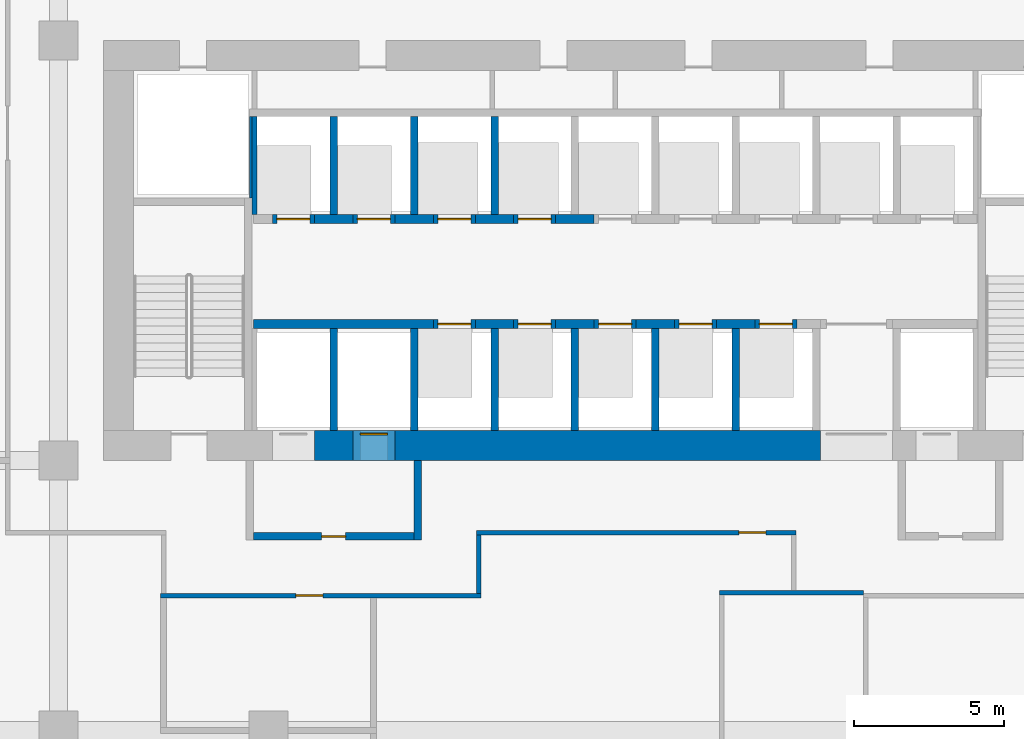
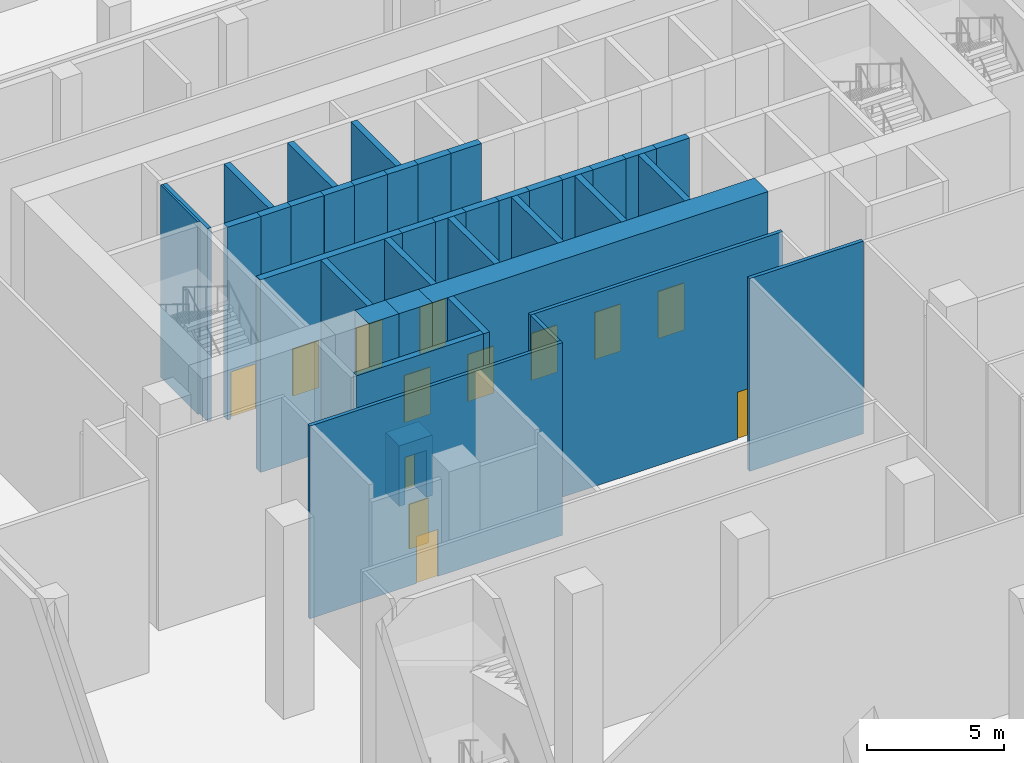
# One storey, part 24 of 43: 39 walls, 13 doors, 13 openings.
"""IFC4 building model written with IfcOpenShell, lengths in metres."""

from ifc_helpers import new_model, si_unit, direction, frame, frame_2d, origin, place, context, subcontext, project, spatial, rectangle, extrude, source, transform, mapped, material, layer, layer_set, type_object, element, fill, save


model = new_model("IFC4")

# Units and contexts
model_context = context("Model", 3, precision=1e-05, world=origin(), true_north=direction((0.0, 1.0)))
body_context = subcontext(model_context, "Body", "Model", "MODEL_VIEW")
ifc_project = project(units=[si_unit("LENGTHUNIT", "METRE"), si_unit("AREAUNIT", "SQUARE_METRE"), si_unit("VOLUMEUNIT", "CUBIC_METRE"), si_unit("PLANEANGLEUNIT", "RADIAN"), si_unit("MASSUNIT", "GRAM", prefix="KILO")], contexts=[model_context])

# Site, building, storey
site_placement = place(None, origin())
site = spatial("IfcSite", under=ifc_project, at=site_placement, CompositionType="ELEMENT")
building_placement = place(site_placement, origin())
building = spatial("IfcBuilding", under=site, at=building_placement, Name="Kilnfold Tower and Market Hall", CompositionType="ELEMENT")
storey_placement = place(building_placement, origin())
storey = spatial("IfcBuildingStorey", under=building, at=storey_placement, Name="L00", CompositionType="ELEMENT", Elevation=0.0)

# Wall
ifc_material_1 = material(Name="Gypsum board on steel studs", Category="steel")
ifc_layer_1 = layer(ifc_material_1, 0.14990234375)
ifc_layer_set_1 = layer_set([ifc_layer_1], Name="Gypsum board on steel studs")
wall_type_1 = type_object("IfcWallType", Name="WALL CORRIDOR 150", PredefinedType="PARTITIONING", material=ifc_layer_set_1)
wall_1_placement = place(storey_placement, frame((4.52490234375, 3.60009765625, 0.0), z_axis=(0.0, 0.0, 1.0), x_axis=(1.0, 0.0, 0.0)))
element("IfcWall", 1, at=wall_1_placement, inside=storey, type_object=wall_type_1, Name="Partition LY01.14", PredefinedType="PARTITIONING", context=body_context, shape_type="SweptSolid", body=[
    extrude(rectangle(XDim=4.800048828125, YDim=0.14990234375, at=frame_2d((2.39990234375, 0.0))), origin(), (0.0, 0.0, 1.0), 8.60009765625),
])

# Wall, opening, door
wall_2_placement = place(storey_placement, frame((-14.10009765625, 3.5, 0.0), z_axis=(0.0, 0.0, 1.0), x_axis=(1.0, 0.0, 0.0)))
wall_2 = element("IfcWall", 2, at=wall_2_placement, inside=storey, type_object=wall_type_1, Name="Partition LY01.28", PredefinedType="PARTITIONING", context=body_context, shape_type="SweptSolid", body=[
    extrude(rectangle(XDim=10.675048828125, YDim=0.14990234375, at=frame_2d((5.33740234375, 0.0))), origin(), (0.0, 0.0, 1.0), 8.60009765625),
])
opening_1_placement = place(wall_2_placement, frame((4.507080078125, 0.0, 0.0)))
opening_1 = element("IfcOpeningElement", 3, at=opening_1_placement, cuts=wall_2, Name="Opening D2", PredefinedType="OPENING", context=body_context, shape_type="SweptSolid", body=[
    extrude(rectangle(XDim=0.89990234375, YDim=2.10009765625, at=frame_2d((0.449951171875, 1.050048828125))), frame((0.0, 0.0849609375, 0.0), z_axis=(0.0, -1.0, 0.0), x_axis=(1.0, 0.0, 0.0)), (0.0, 0.0, 1.0), 0.169921875),
])
ifc_material_2 = material(Name="Timber veneer door leaf in steel frame", Category="steel")
door_type_1 = type_object("IfcDoorType", Name="DOOR ROOM 900 X2100", OperationType="NOTDEFINED", PredefinedType="DOOR", material=ifc_material_2)
door_1_placement = place(opening_1_placement, origin())
door_1 = element("IfcDoor", 4, at=door_1_placement, inside=storey, type_object=door_type_1, Name="Door D2", OperationType="SINGLE_SWING_RIGHT", OverallHeight=2.10009765625, OverallWidth=0.89990234375, PredefinedType="DOOR", context=body_context, shape_type="SweptSolid", body=[
    extrude(rectangle(XDim=0.89990234375, YDim=2.10009765625, at=frame_2d((0.449951171875, 1.050048828125))), frame((0.0, 0.02490234375, 0.0), z_axis=(0.0, -1.0, 0.0), x_axis=(1.0, 0.0, 0.0)), (0.0, 0.0, 1.0), 0.050048828125),
])
fill(opening_1, door_1)

wall_3_placement = place(storey_placement, frame((-3.574951171875, 5.60009765625, 0.0), z_axis=(0.0, 0.0, 1.0), x_axis=(1.0, 0.0, 0.0)))
wall_3 = element("IfcWall", 5, at=wall_3_placement, inside=storey, type_object=wall_type_1, Name="Partition LY01.30", PredefinedType="PARTITIONING", context=body_context, shape_type="SweptSolid", body=[
    extrude(rectangle(XDim=10.64990234375, YDim=0.14990234375, at=frame_2d((5.324951171875, 0.0))), origin(), (0.0, 0.0, 1.0), 8.60009765625),
])
opening_2_placement = place(wall_3_placement, frame((8.74609375, 0.0, 0.0)))
opening_2 = element("IfcOpeningElement", 6, at=opening_2_placement, cuts=wall_3, Name="Opening D2", PredefinedType="OPENING", context=body_context, shape_type="SweptSolid", body=[
    extrude(rectangle(XDim=0.89990234375, YDim=2.10009765625, at=frame_2d((0.449951171875, 1.050048828125))), frame((0.0, 0.0849609375, 0.0), z_axis=(0.0, -1.0, 0.0), x_axis=(1.0, 0.0, 0.0)), (0.0, 0.0, 1.0), 0.169921875),
])
door_2_placement = place(opening_2_placement, origin())
door_2 = element("IfcDoor", 7, at=door_2_placement, inside=storey, type_object=door_type_1, Name="Door D2", OperationType="SINGLE_SWING_RIGHT", OverallHeight=2.10009765625, OverallWidth=0.89990234375, PredefinedType="DOOR", context=body_context, shape_type="SweptSolid", body=[
    extrude(rectangle(XDim=0.89990234375, YDim=2.10009765625, at=frame_2d((0.449951171875, 1.050048828125))), frame((0.0, 0.02490234375, 0.0), z_axis=(0.0, -1.0, 0.0), x_axis=(1.0, 0.0, 0.0)), (0.0, 0.0, 1.0), 0.050048828125),
])
fill(opening_2, door_2)

# Walls
wall_4_placement = place(storey_placement, frame((-3.5, 3.574951171875, 0.0), z_axis=(0.0, 0.0, 1.0), x_axis=(0.0, 1.0, 0.0)))
element("IfcWall", 8, at=wall_4_placement, inside=storey, type_object=wall_type_1, Name="Partition LY01.31", PredefinedType="PARTITIONING", context=body_context, shape_type="SweptSolid", body=[
    extrude(rectangle(XDim=1.949951171875, YDim=0.14990234375, at=frame_2d((0.97509765625, 0.0))), origin(), (0.0, 0.0, 1.0), 8.60009765625),
])
ifc_material_3 = material(Name="Concrete C80", Category="concrete")
ifc_layer_2 = layer(ifc_material_3, 1.0)
ifc_layer_set_2 = layer_set([ifc_layer_2], Name="Concrete C80")
wall_type_2 = type_object("IfcWallType", Name="CORE WALL 1000 C80", PredefinedType="SHEAR", material=ifc_layer_set_2)
shared_shape_1 = source(origin(), body_context, "Body", "SweptSolid", [
    extrude(rectangle(XDim=1.280029296875, YDim=1.0, at=frame_2d((0.64013671875, 0.0))), origin(), (0.0, 0.0, 1.0), 8.60009765625),
])
wall_5_placement = place(storey_placement, frame((-8.969970703125, 8.5, 0.0), z_axis=(0.0, 0.0, 1.0), x_axis=(1.0, 0.0, 0.0)))
element("IfcWall", 9, at=wall_5_placement, inside=storey, type_object=wall_type_2, Name="Core outer wall south", PredefinedType="SHEAR", context=body_context, shape_type="MappedRepresentation", body=[
    mapped(shared_shape_1, transform((0.0, 0.0, 0.0))),
])
shared_shape_2 = source(origin(), body_context, "Body", "SweptSolid", [
    extrude(rectangle(XDim=14.179931640625, YDim=1.0, at=frame_2d((7.08984375, 0.0))), origin(), (0.0, 0.0, 1.0), 8.60009765625),
])
wall_6_placement = place(storey_placement, frame((-6.2900390625, 8.5, 0.0), z_axis=(0.0, 0.0, 1.0), x_axis=(1.0, 0.0, 0.0)))
element("IfcWall", 10, at=wall_6_placement, inside=storey, type_object=wall_type_2, Name="Core outer wall south", PredefinedType="SHEAR", context=body_context, shape_type="MappedRepresentation", body=[
    mapped(shared_shape_2, transform((0.0, 0.0, 0.0))),
])
ifc_material_4 = material(Name="Concrete C80", Category="concrete")
ifc_layer_3 = layer(ifc_material_4, 0.300048828125)
ifc_layer_set_3 = layer_set([ifc_layer_3], Name="Concrete C80")
wall_type_3 = type_object("IfcWallType", Name="CORE WALL 300 C80", PredefinedType="SHEAR", material=ifc_layer_set_3)
shared_shape_3 = source(origin(), body_context, "Body", "SweptSolid", [
    extrude(rectangle(XDim=6.0, YDim=0.300048828125, at=frame_2d((3.0, 0.0))), origin(), (0.0, 0.0, 1.0), 8.60009765625),
])
wall_7_placement = place(storey_placement, frame((-11.010009765625, 12.550048828125, 0.0), z_axis=(0.0, 0.0, 1.0), x_axis=(1.0, 0.0, 0.0)))
element("IfcWall", 11, at=wall_7_placement, inside=storey, type_object=wall_type_3, Name="Core spine wall", PredefinedType="SHEAR", context=body_context, shape_type="MappedRepresentation", body=[
    mapped(shared_shape_3, transform((0.0, 0.0, 0.0))),
])
shared_shape_4 = source(origin(), body_context, "Body", "SweptSolid", [
    extrude(rectangle(XDim=1.280029296875, YDim=0.300048828125, at=frame_2d((0.64013671875, 0.0))), origin(), (0.0, 0.0, 1.0), 8.60009765625),
])
for number, where, z_axis, x_axis, name in (
    (12, (-3.610107421875, 12.550048828125, 0.0), (0.0, 0.0, 1.0), (1.0, 0.0, 0.0), "Core spine wall"),
    (13, (-0.929931640625, 12.550048828125, 0.0), (0.0, 0.0, 1.0), (1.0, 0.0, 0.0), "Core spine wall"),
    (14, (1.75, 12.550048828125, 0.0), (0.0, 0.0, 1.0), (1.0, 0.0, 0.0), "Core spine wall"),
    (15, (4.429931640625, 12.550048828125, 0.0), (0.0, 0.0, 1.0), (1.0, 0.0, 0.0), "Core spine wall"),
    (16, (-8.969970703125, 16.050048828125, 0.0), (0.0, 0.0, 1.0), (1.0, 0.0, 0.0), "Core spine wall"),
    (17, (-6.2900390625, 16.050048828125, 0.0), (0.0, 0.0, 1.0), (1.0, 0.0, 0.0), "Core spine wall"),
    (18, (-3.610107421875, 16.050048828125, 0.0), (0.0, 0.0, 1.0), (1.0, 0.0, 0.0), "Core spine wall"),
    (19, (-0.929931640625, 16.050048828125, 0.0), (0.0, 0.0, 1.0), (1.0, 0.0, 0.0), "Core spine wall"),
):
    element("IfcWall", number, at=place(storey_placement, frame(where, z_axis=z_axis, x_axis=x_axis)), inside=storey, type_object=wall_type_3, Name=name, PredefinedType="SHEAR", context=body_context, shape_type="MappedRepresentation", body=[
        mapped(shared_shape_4, transform((0.0, 0.0, 0.0))),
    ])
shared_shape_5 = source(origin(), body_context, "Body", "SweptSolid", [
    extrude(rectangle(XDim=1.39990234375, YDim=1.0, at=frame_2d((0.699951171875, 0.0))), origin(), (0.0, 0.0, 1.0), 4.650146484375),
])
wall_8_placement = place(storey_placement, frame((-7.68994140625, 8.5, 3.949951171875), z_axis=(0.0, 0.0, 1.0), x_axis=(1.0, 0.0, 0.0)))
element("IfcWall", 20, at=wall_8_placement, inside=storey, type_object=wall_type_2, Name="Core wall over opening", PredefinedType="SHEAR", context=body_context, shape_type="MappedRepresentation", body=[
    mapped(shared_shape_5, transform((0.0, 0.0, 0.0))),
])

# Wall, opening, door
ifc_material_5 = material(Name="Gypsum shaft wall system")
ifc_layer_4 = layer(ifc_material_5, 1.0)
ifc_layer_set_4 = layer_set([ifc_layer_4], Name="Gypsum shaft wall system")
wall_type_4 = type_object("IfcWallType", Name="LOBBY WALL 1000", PredefinedType="PARTITIONING", material=ifc_layer_set_4)
shared_shape_6 = source(origin(), body_context, "Body", "SweptSolid", [
    extrude(rectangle(XDim=1.39990234375, YDim=1.0, at=frame_2d((0.699951171875, 0.0))), origin(), (0.0, 0.0, 1.0), 2.699951171875),
])
wall_9_placement = place(storey_placement, frame((-7.68994140625, 8.5, 0.0), z_axis=(0.0, 0.0, 1.0), x_axis=(1.0, 0.0, 0.0)))
wall_9 = element("IfcWall", 21, at=wall_9_placement, inside=storey, type_object=wall_type_4, Name="Core wall infill", PredefinedType="PARTITIONING", context=body_context, shape_type="MappedRepresentation", body=[
    mapped(shared_shape_6, transform((0.0, 0.0, 0.0))),
])
opening_3_placement = place(wall_9_placement, frame((0.25, 0.0, 0.0)))
opening_3 = element("IfcOpeningElement", 22, at=opening_3_placement, cuts=wall_9, Name="Opening LD1", PredefinedType="OPENING", context=body_context, shape_type="SweptSolid", body=[
    extrude(rectangle(XDim=0.89990234375, YDim=2.10009765625, at=frame_2d((0.449951171875, 1.050048828125))), frame((0.0, 0.510009765625, 0.0), z_axis=(0.0, -1.0, 0.0), x_axis=(1.0, 0.0, 0.0)), (0.0, 0.0, 1.0), 1.02001953125),
])
ifc_material_6 = material(Name="Steel door set with fire-resisting leaf", Category="steel")
door_type_2 = type_object("IfcDoorType", Name="FIREFIGHTING LANDING DOOR 900X2100", OperationType="NOTDEFINED", PredefinedType="DOOR", material=ifc_material_6)
door_3_placement = place(opening_3_placement, origin())
door_3 = element("IfcDoor", 23, at=door_3_placement, inside=storey, type_object=door_type_2, Name="Landing door FF2", OperationType="SLIDING_TO_RIGHT", OverallHeight=2.10009765625, OverallWidth=0.89990234375, PredefinedType="DOOR", context=body_context, shape_type="SweptSolid", body=[
    extrude(rectangle(XDim=0.89990234375, YDim=2.10009765625, at=frame_2d((0.449951171875, 1.050048828125))), frame((0.0, 0.40478515625, 0.0), z_axis=(0.0, -1.0, 0.0), x_axis=(1.0, 0.0, 0.0)), (0.0, 0.0, 1.0), 0.050048828125),
])
fill(opening_3, door_3)

ifc_material_7 = material(Name="Gypsum shaft wall system")
ifc_layer_5 = layer(ifc_material_7, 0.300048828125)
ifc_layer_set_5 = layer_set([ifc_layer_5], Name="Gypsum shaft wall system")
wall_type_5 = type_object("IfcWallType", Name="SHAFT WALL 300", PredefinedType="PARTITIONING", material=ifc_layer_set_5)
shared_shape_7 = source(origin(), body_context, "Body", "SweptSolid", [
    extrude(rectangle(XDim=1.39990234375, YDim=0.300048828125, at=frame_2d((0.699951171875, 0.0))), origin(), (0.0, 0.0, 1.0), 8.60009765625),
])
wall_10_placement = place(storey_placement, frame((-5.010009765625, 12.550048828125, 0.0), z_axis=(0.0, 0.0, 1.0), x_axis=(1.0, 0.0, 0.0)))
wall_10 = element("IfcWall", 24, at=wall_10_placement, inside=storey, type_object=wall_type_5, Name="Lift shaft front wall", PredefinedType="PARTITIONING", context=body_context, shape_type="MappedRepresentation", body=[
    mapped(shared_shape_7, transform((0.0, 0.0, 0.0))),
])
opening_4_placement = place(wall_10_placement, frame((0.14990234375, 0.0, 0.0)))
opening_4 = element("IfcOpeningElement", 25, at=opening_4_placement, cuts=wall_10, Name="Opening LD2", PredefinedType="OPENING", context=body_context, shape_type="SweptSolid", body=[
    extrude(rectangle(XDim=1.10009765625, YDim=2.10009765625, at=frame_2d((0.550048828125, 1.050048828125))), frame((0.0, 0.16015625, 0.0), z_axis=(0.0, -1.0, 0.0), x_axis=(1.0, 0.0, 0.0)), (0.0, 0.0, 1.0), 0.320068359375),
])
ifc_material_8 = material(Name="Steel door set with fire-resisting leaf", Category="steel")
door_type_3 = type_object("IfcDoorType", Name="LANDING DOOR 1100X2100", OperationType="NOTDEFINED", PredefinedType="DOOR", material=ifc_material_8)
door_4_placement = place(opening_4_placement, origin())
door_4 = element("IfcDoor", 26, at=door_4_placement, inside=storey, type_object=door_type_3, Name="Landing door LR1", OperationType="DOUBLE_DOOR_SLIDING", OverallHeight=2.10009765625, OverallWidth=1.10009765625, PredefinedType="DOOR", context=body_context, shape_type="SweptSolid", body=[
    extrude(rectangle(XDim=1.10009765625, YDim=2.10009765625, at=frame_2d((0.550048828125, 1.050048828125))), frame((0.0, 0.02490234375, 0.0), z_axis=(0.0, -1.0, 0.0), x_axis=(1.0, 0.0, 0.0)), (0.0, 0.0, 1.0), 0.050048828125),
])
fill(opening_4, door_4)

wall_11_placement = place(storey_placement, frame((0.35009765625, 12.550048828125, 0.0), z_axis=(0.0, 0.0, 1.0), x_axis=(1.0, 0.0, 0.0)))
wall_11 = element("IfcWall", 27, at=wall_11_placement, inside=storey, type_object=wall_type_5, Name="Lift shaft front wall", PredefinedType="PARTITIONING", context=body_context, shape_type="MappedRepresentation", body=[
    mapped(shared_shape_7, transform((0.0, 0.0, 0.0))),
])
opening_5_placement = place(wall_11_placement, frame((0.14990234375, 0.0, 0.0)))
opening_5 = element("IfcOpeningElement", 28, at=opening_5_placement, cuts=wall_11, Name="Opening LD2", PredefinedType="OPENING", context=body_context, shape_type="SweptSolid", body=[
    extrude(rectangle(XDim=1.10009765625, YDim=2.10009765625, at=frame_2d((0.550048828125, 1.050048828125))), frame((0.0, 0.16015625, 0.0), z_axis=(0.0, -1.0, 0.0), x_axis=(1.0, 0.0, 0.0)), (0.0, 0.0, 1.0), 0.320068359375),
])
door_5_placement = place(opening_5_placement, origin())
door_5 = element("IfcDoor", 29, at=door_5_placement, inside=storey, type_object=door_type_3, Name="Landing door LR3", OperationType="DOUBLE_DOOR_SLIDING", OverallHeight=2.10009765625, OverallWidth=1.10009765625, PredefinedType="DOOR", context=body_context, shape_type="SweptSolid", body=[
    extrude(rectangle(XDim=1.10009765625, YDim=2.10009765625, at=frame_2d((0.550048828125, 1.050048828125))), frame((0.0, 0.02490234375, 0.0), z_axis=(0.0, -1.0, 0.0), x_axis=(1.0, 0.0, 0.0)), (0.0, 0.0, 1.0), 0.050048828125),
])
fill(opening_5, door_5)

wall_12_placement = place(storey_placement, frame((3.030029296875, 12.550048828125, 0.0), z_axis=(0.0, 0.0, 1.0), x_axis=(1.0, 0.0, 0.0)))
wall_12 = element("IfcWall", 30, at=wall_12_placement, inside=storey, type_object=wall_type_5, Name="Lift shaft front wall", PredefinedType="PARTITIONING", context=body_context, shape_type="MappedRepresentation", body=[
    mapped(shared_shape_7, transform((0.0, 0.0, 0.0))),
])
opening_6_placement = place(wall_12_placement, frame((0.14990234375, 0.0, 0.0)))
opening_6 = element("IfcOpeningElement", 31, at=opening_6_placement, cuts=wall_12, Name="Opening LD2", PredefinedType="OPENING", context=body_context, shape_type="SweptSolid", body=[
    extrude(rectangle(XDim=1.10009765625, YDim=2.10009765625, at=frame_2d((0.550048828125, 1.050048828125))), frame((0.0, 0.16015625, 0.0), z_axis=(0.0, -1.0, 0.0), x_axis=(1.0, 0.0, 0.0)), (0.0, 0.0, 1.0), 0.320068359375),
])
door_6_placement = place(opening_6_placement, origin())
door_6 = element("IfcDoor", 32, at=door_6_placement, inside=storey, type_object=door_type_3, Name="Landing door LR4", OperationType="DOUBLE_DOOR_SLIDING", OverallHeight=2.10009765625, OverallWidth=1.10009765625, PredefinedType="DOOR", context=body_context, shape_type="SweptSolid", body=[
    extrude(rectangle(XDim=1.10009765625, YDim=2.10009765625, at=frame_2d((0.550048828125, 1.050048828125))), frame((0.0, 0.02490234375, 0.0), z_axis=(0.0, -1.0, 0.0), x_axis=(1.0, 0.0, 0.0)), (0.0, 0.0, 1.0), 0.050048828125),
])
fill(opening_6, door_6)

wall_13_placement = place(storey_placement, frame((-7.68994140625, 16.050048828125, 0.0), z_axis=(0.0, 0.0, 1.0), x_axis=(1.0, 0.0, 0.0)))
wall_13 = element("IfcWall", 33, at=wall_13_placement, inside=storey, type_object=wall_type_5, Name="Lift shaft front wall", PredefinedType="PARTITIONING", context=body_context, shape_type="MappedRepresentation", body=[
    mapped(shared_shape_7, transform((0.0, 0.0, 0.0))),
])
opening_7_placement = place(wall_13_placement, frame((0.14990234375, 0.0, 0.0)))
opening_7 = element("IfcOpeningElement", 34, at=opening_7_placement, cuts=wall_13, Name="Opening LD2", PredefinedType="OPENING", context=body_context, shape_type="SweptSolid", body=[
    extrude(rectangle(XDim=1.10009765625, YDim=2.10009765625, at=frame_2d((0.550048828125, 1.050048828125))), frame((0.0, 0.16015625, 0.0), z_axis=(0.0, -1.0, 0.0), x_axis=(1.0, 0.0, 0.0)), (0.0, 0.0, 1.0), 0.320068359375),
])
door_7_placement = place(opening_7_placement, origin())
door_7 = element("IfcDoor", 35, at=door_7_placement, inside=storey, type_object=door_type_3, Name="Landing door LR8", OperationType="DOUBLE_DOOR_SLIDING", OverallHeight=2.10009765625, OverallWidth=1.10009765625, PredefinedType="DOOR", context=body_context, shape_type="SweptSolid", body=[
    extrude(rectangle(XDim=1.10009765625, YDim=2.10009765625, at=frame_2d((0.550048828125, 1.050048828125))), frame((0.0, 0.02490234375, 0.0), z_axis=(0.0, -1.0, 0.0), x_axis=(1.0, 0.0, 0.0)), (0.0, 0.0, 1.0), 0.050048828125),
])
fill(opening_7, door_7)

wall_14_placement = place(storey_placement, frame((-5.010009765625, 16.050048828125, 0.0), z_axis=(0.0, 0.0, 1.0), x_axis=(1.0, 0.0, 0.0)))
wall_14 = element("IfcWall", 36, at=wall_14_placement, inside=storey, type_object=wall_type_5, Name="Lift shaft front wall", PredefinedType="PARTITIONING", context=body_context, shape_type="MappedRepresentation", body=[
    mapped(shared_shape_7, transform((0.0, 0.0, 0.0))),
])
opening_8_placement = place(wall_14_placement, frame((0.14990234375, 0.0, 0.0)))
opening_8 = element("IfcOpeningElement", 37, at=opening_8_placement, cuts=wall_14, Name="Opening LD2", PredefinedType="OPENING", context=body_context, shape_type="SweptSolid", body=[
    extrude(rectangle(XDim=1.10009765625, YDim=2.10009765625, at=frame_2d((0.550048828125, 1.050048828125))), frame((0.0, 0.16015625, 0.0), z_axis=(0.0, -1.0, 0.0), x_axis=(1.0, 0.0, 0.0)), (0.0, 0.0, 1.0), 0.320068359375),
])
door_8_placement = place(opening_8_placement, origin())
door_8 = element("IfcDoor", 38, at=door_8_placement, inside=storey, type_object=door_type_3, Name="Landing door SH1", OperationType="DOUBLE_DOOR_SLIDING", OverallHeight=2.10009765625, OverallWidth=1.10009765625, PredefinedType="DOOR", context=body_context, shape_type="SweptSolid", body=[
    extrude(rectangle(XDim=1.10009765625, YDim=2.10009765625, at=frame_2d((0.550048828125, 1.050048828125))), frame((0.0, 0.02490234375, 0.0), z_axis=(0.0, -1.0, 0.0), x_axis=(1.0, 0.0, 0.0)), (0.0, 0.0, 1.0), 0.050048828125),
])
fill(opening_8, door_8)

shared_shape_8 = source(origin(), body_context, "Body", "SweptSolid", [
    extrude(rectangle(XDim=1.400146484375, YDim=0.300048828125, at=frame_2d((0.7001953125, 0.0))), origin(), (0.0, 0.0, 1.0), 8.60009765625),
])
wall_15_placement = place(storey_placement, frame((-2.330078125, 12.550048828125, 0.0), z_axis=(0.0, 0.0, 1.0), x_axis=(1.0, 0.0, 0.0)))
wall_15 = element("IfcWall", 39, at=wall_15_placement, inside=storey, type_object=wall_type_5, Name="Lift shaft front wall", PredefinedType="PARTITIONING", context=body_context, shape_type="MappedRepresentation", body=[
    mapped(shared_shape_8, transform((0.0, 0.0, 0.0))),
])
opening_9_placement = place(wall_15_placement, frame((0.14990234375, 0.0, 0.0)))
opening_9 = element("IfcOpeningElement", 40, at=opening_9_placement, cuts=wall_15, Name="Opening LD2", PredefinedType="OPENING", context=body_context, shape_type="SweptSolid", body=[
    extrude(rectangle(XDim=1.10009765625, YDim=2.10009765625, at=frame_2d((0.550048828125, 1.050048828125))), frame((0.0, 0.16015625, 0.0), z_axis=(0.0, -1.0, 0.0), x_axis=(1.0, 0.0, 0.0)), (0.0, 0.0, 1.0), 0.320068359375),
])
door_9_placement = place(opening_9_placement, origin())
door_9 = element("IfcDoor", 41, at=door_9_placement, inside=storey, type_object=door_type_3, Name="Landing door LR2", OperationType="DOUBLE_DOOR_SLIDING", OverallHeight=2.10009765625, OverallWidth=1.10009765625, PredefinedType="DOOR", context=body_context, shape_type="SweptSolid", body=[
    extrude(rectangle(XDim=1.10009765625, YDim=2.10009765625, at=frame_2d((0.550048828125, 1.050048828125))), frame((0.0, 0.02490234375, 0.0), z_axis=(0.0, -1.0, 0.0), x_axis=(1.0, 0.0, 0.0)), (0.0, 0.0, 1.0), 0.050048828125),
])
fill(opening_9, door_9)

wall_16_placement = place(storey_placement, frame((5.7099609375, 12.550048828125, 0.0), z_axis=(0.0, 0.0, 1.0), x_axis=(1.0, 0.0, 0.0)))
wall_16 = element("IfcWall", 42, at=wall_16_placement, inside=storey, type_object=wall_type_5, Name="Lift shaft front wall", PredefinedType="PARTITIONING", context=body_context, shape_type="MappedRepresentation", body=[
    mapped(shared_shape_8, transform((0.0, 0.0, 0.0))),
])
opening_10_placement = place(wall_16_placement, frame((0.14990234375, 0.0, 0.0)))
opening_10 = element("IfcOpeningElement", 43, at=opening_10_placement, cuts=wall_16, Name="Opening LD2", PredefinedType="OPENING", context=body_context, shape_type="SweptSolid", body=[
    extrude(rectangle(XDim=1.10009765625, YDim=2.10009765625, at=frame_2d((0.550048828125, 1.050048828125))), frame((0.0, 0.16015625, 0.0), z_axis=(0.0, -1.0, 0.0), x_axis=(1.0, 0.0, 0.0)), (0.0, 0.0, 1.0), 0.320068359375),
])
door_10_placement = place(opening_10_placement, origin())
door_10 = element("IfcDoor", 44, at=door_10_placement, inside=storey, type_object=door_type_3, Name="Landing door LR5", OperationType="DOUBLE_DOOR_SLIDING", OverallHeight=2.10009765625, OverallWidth=1.10009765625, PredefinedType="DOOR", context=body_context, shape_type="SweptSolid", body=[
    extrude(rectangle(XDim=1.10009765625, YDim=2.10009765625, at=frame_2d((0.550048828125, 1.050048828125))), frame((0.0, 0.02490234375, 0.0), z_axis=(0.0, -1.0, 0.0), x_axis=(1.0, 0.0, 0.0)), (0.0, 0.0, 1.0), 0.050048828125),
])
fill(opening_10, door_10)

wall_17_placement = place(storey_placement, frame((-10.3701171875, 16.050048828125, 0.0), z_axis=(0.0, 0.0, 1.0), x_axis=(1.0, 0.0, 0.0)))
wall_17 = element("IfcWall", 45, at=wall_17_placement, inside=storey, type_object=wall_type_5, Name="Lift shaft front wall", PredefinedType="PARTITIONING", context=body_context, shape_type="MappedRepresentation", body=[
    mapped(shared_shape_8, transform((0.0, 0.0, 0.0))),
])
opening_11_placement = place(wall_17_placement, frame((0.14990234375, 0.0, 0.0)))
opening_11 = element("IfcOpeningElement", 46, at=opening_11_placement, cuts=wall_17, Name="Opening LD2", PredefinedType="OPENING", context=body_context, shape_type="SweptSolid", body=[
    extrude(rectangle(XDim=1.10009765625, YDim=2.10009765625, at=frame_2d((0.550048828125, 1.050048828125))), frame((0.0, 0.16015625, 0.0), z_axis=(0.0, -1.0, 0.0), x_axis=(1.0, 0.0, 0.0)), (0.0, 0.0, 1.0), 0.320068359375),
])
door_11_placement = place(opening_11_placement, origin())
door_11 = element("IfcDoor", 47, at=door_11_placement, inside=storey, type_object=door_type_3, Name="Landing door LR7", OperationType="DOUBLE_DOOR_SLIDING", OverallHeight=2.10009765625, OverallWidth=1.10009765625, PredefinedType="DOOR", context=body_context, shape_type="SweptSolid", body=[
    extrude(rectangle(XDim=1.10009765625, YDim=2.10009765625, at=frame_2d((0.550048828125, 1.050048828125))), frame((0.0, 0.02490234375, 0.0), z_axis=(0.0, -1.0, 0.0), x_axis=(1.0, 0.0, 0.0)), (0.0, 0.0, 1.0), 0.050048828125),
])
fill(opening_11, door_11)

wall_18_placement = place(storey_placement, frame((-2.330078125, 16.050048828125, 0.0), z_axis=(0.0, 0.0, 1.0), x_axis=(1.0, 0.0, 0.0)))
wall_18 = element("IfcWall", 48, at=wall_18_placement, inside=storey, type_object=wall_type_5, Name="Lift shaft front wall", PredefinedType="PARTITIONING", context=body_context, shape_type="MappedRepresentation", body=[
    mapped(shared_shape_8, transform((0.0, 0.0, 0.0))),
])
opening_12_placement = place(wall_18_placement, frame((0.14990234375, 0.0, 0.0)))
opening_12 = element("IfcOpeningElement", 49, at=opening_12_placement, cuts=wall_18, Name="Opening LD2", PredefinedType="OPENING", context=body_context, shape_type="SweptSolid", body=[
    extrude(rectangle(XDim=1.10009765625, YDim=2.10009765625, at=frame_2d((0.550048828125, 1.050048828125))), frame((0.0, 0.16015625, 0.0), z_axis=(0.0, -1.0, 0.0), x_axis=(1.0, 0.0, 0.0)), (0.0, 0.0, 1.0), 0.320068359375),
])
door_12_placement = place(opening_12_placement, origin())
door_12 = element("IfcDoor", 50, at=door_12_placement, inside=storey, type_object=door_type_3, Name="Landing door SH2", OperationType="DOUBLE_DOOR_SLIDING", OverallHeight=2.10009765625, OverallWidth=1.10009765625, PredefinedType="DOOR", context=body_context, shape_type="SweptSolid", body=[
    extrude(rectangle(XDim=1.10009765625, YDim=2.10009765625, at=frame_2d((0.550048828125, 1.050048828125))), frame((0.0, 0.02490234375, 0.0), z_axis=(0.0, -1.0, 0.0), x_axis=(1.0, 0.0, 0.0)), (0.0, 0.0, 1.0), 0.050048828125),
])
fill(opening_12, door_12)

# Wall
ifc_material_9 = material(Name="Gypsum shaft wall system")
ifc_layer_6 = layer(ifc_material_9, 0.25)
ifc_layer_set_6 = layer_set([ifc_layer_6], Name="Gypsum shaft wall system")
wall_type_6 = type_object("IfcWallType", Name="LOBBY WALL 250", PredefinedType="PARTITIONING", material=ifc_layer_set_6)
shared_shape_9 = source(origin(), body_context, "Body", "SweptSolid", [
    extrude(rectangle(XDim=2.64990234375, YDim=0.25, at=frame_2d((1.324951171875, 0.0))), origin(), (0.0, 0.0, 1.0), 8.60009765625),
])
wall_19_placement = place(storey_placement, frame((-5.52490234375, 5.35009765625, 0.0), z_axis=(0.0, 0.0, 1.0), x_axis=(0.0, 1.0, 0.0)))
element("IfcWall", 51, at=wall_19_placement, inside=storey, type_object=wall_type_6, Name="Firefighting lobby wall", PredefinedType="PARTITIONING", context=body_context, shape_type="MappedRepresentation", body=[
    mapped(shared_shape_9, transform((0.0, 0.0, 0.0))),
])

# Wall, opening, door
shared_shape_10 = source(origin(), body_context, "Body", "SweptSolid", [
    extrude(rectangle(XDim=5.360107421875, YDim=0.25, at=frame_2d((2.68017578125, 0.0))), origin(), (0.0, 0.0, 1.0), 8.60009765625),
])
wall_20_placement = place(storey_placement, frame((-11.010009765625, 5.47509765625, 0.0), z_axis=(0.0, 0.0, 1.0), x_axis=(1.0, 0.0, 0.0)))
wall_20 = element("IfcWall", 52, at=wall_20_placement, inside=storey, type_object=wall_type_6, Name="Firefighting lobby wall", PredefinedType="PARTITIONING", context=body_context, shape_type="MappedRepresentation", body=[
    mapped(shared_shape_10, transform((0.0, 0.0, 0.0))),
])
opening_13_placement = place(wall_20_placement, frame((2.280029296875, 0.0, 0.0)))
opening_13 = element("IfcOpeningElement", 53, at=opening_13_placement, cuts=wall_20, Name="Opening VD1", PredefinedType="OPENING", context=body_context, shape_type="SweptSolid", body=[
    extrude(rectangle(XDim=0.800048828125, YDim=2.0, at=frame_2d((0.39990234375, 1.0))), frame((0.0, 0.135009765625, 0.0), z_axis=(0.0, -1.0, 0.0), x_axis=(1.0, 0.0, 0.0)), (0.0, 0.0, 1.0), 0.27001953125),
])
ifc_material_10 = material(Name="Steel door set with fire-resisting leaf", Category="steel")
door_type_4 = type_object("IfcDoorType", Name="FIREFIGHTING LOBBY DOOR 800X2000", OperationType="NOTDEFINED", PredefinedType="DOOR", material=ifc_material_10)
door_13_placement = place(opening_13_placement, origin())
door_13 = element("IfcDoor", 54, at=door_13_placement, inside=storey, type_object=door_type_4, Name="Firefighting lobby door", OperationType="SINGLE_SWING_LEFT", OverallHeight=2.0, OverallWidth=0.800048828125, PredefinedType="DOOR", context=body_context, shape_type="SweptSolid", body=[
    extrude(rectangle(XDim=0.800048828125, YDim=2.0, at=frame_2d((0.39990234375, 1.0))), frame((0.0, 0.02490234375, 0.0), z_axis=(0.0, -1.0, 0.0), x_axis=(1.0, 0.0, 0.0)), (0.0, 0.0, 1.0), 0.050048828125),
])
fill(opening_13, door_13)

# Walls
ifc_material_11 = material(Name="Gypsum shaft wall system")
ifc_layer_7 = layer(ifc_material_11, 0.1650390625)
ifc_layer_set_7 = layer_set([ifc_layer_7], Name="Gypsum shaft wall system")
wall_type_7 = type_object("IfcWallType", Name="SHAFT WALL 165", PredefinedType="PARTITIONING", material=ifc_layer_set_7)
shared_shape_11 = source(origin(), body_context, "Body", "SweptSolid", [
    extrude(rectangle(XDim=3.275146484375, YDim=0.1650390625, at=frame_2d((1.6376953125, 0.0))), origin(), (0.0, 0.0, 1.0), 8.60009765625),
])
wall_21_placement = place(storey_placement, frame((-10.967529296875, 16.199951171875, 0.0), z_axis=(0.0, 0.0, 1.0), x_axis=(0.0, 1.0, 0.0)))
element("IfcWall", 55, at=wall_21_placement, inside=storey, type_object=wall_type_7, Name="Lift shaft wall", PredefinedType="PARTITIONING", context=body_context, shape_type="MappedRepresentation", body=[
    mapped(shared_shape_11, transform((0.0, 0.0, 0.0))),
])
ifc_material_12 = material(Name="Gypsum shaft wall system")
ifc_layer_8 = layer(ifc_material_12, 0.25)
ifc_layer_set_8 = layer_set([ifc_layer_8], Name="Gypsum shaft wall system")
wall_type_8 = type_object("IfcWallType", Name="SHAFT WALL 250", PredefinedType="PARTITIONING", material=ifc_layer_set_8)
shared_shape_12 = source(origin(), body_context, "Body", "SweptSolid", [
    extrude(rectangle(XDim=3.275146484375, YDim=0.25, at=frame_2d((1.6376953125, 0.0))), origin(), (0.0, 0.0, 1.0), 8.60009765625),
])
for number, where, z_axis, x_axis, name in (
    (56, (-2.969970703125, 16.199951171875, 0.0), (0.0, 0.0, 1.0), (0.0, 1.0, 0.0), "Lift shaft wall"),
    (57, (-5.64990234375, 16.199951171875, 0.0), (0.0, 0.0, 1.0), (0.0, 1.0, 0.0), "Lift shaft wall"),
    (58, (-8.330078125, 16.199951171875, 0.0), (0.0, 0.0, 1.0), (0.0, 1.0, 0.0), "Lift shaft wall"),
):
    element("IfcWall", number, at=place(storey_placement, frame(where, z_axis=z_axis, x_axis=x_axis)), inside=storey, type_object=wall_type_8, Name=name, PredefinedType="PARTITIONING", context=body_context, shape_type="MappedRepresentation", body=[
        mapped(shared_shape_12, transform((0.0, 0.0, 0.0))),
    ])
ifc_material_13 = material(Name="Gypsum shaft wall system")
ifc_layer_9 = layer(ifc_material_13, 0.0849609375)
ifc_layer_set_9 = layer_set([ifc_layer_9], Name="Gypsum shaft wall system")
wall_type_9 = type_object("IfcWallType", Name="SHAFT WALL 85", PredefinedType="PARTITIONING", material=ifc_layer_set_9)
shared_shape_13 = source(origin(), body_context, "Body", "SweptSolid", [
    extrude(rectangle(XDim=2.72509765625, YDim=0.0849609375, at=frame_2d((1.362548828125, 0.0))), origin(), (0.0, 0.0, 1.0), 8.60009765625),
])
wall_22_placement = place(storey_placement, frame((-11.092529296875, 16.75, 0.0), z_axis=(0.0, 0.0, 1.0), x_axis=(0.0, 1.0, 0.0)))
element("IfcWall", 59, at=wall_22_placement, inside=storey, type_object=wall_type_9, Name="Lift shaft wall", PredefinedType="PARTITIONING", context=body_context, shape_type="MappedRepresentation", body=[
    mapped(shared_shape_13, transform((0.0, 0.0, 0.0))),
])
shared_shape_14 = source(origin(), body_context, "Body", "SweptSolid", [
    extrude(rectangle(XDim=3.39990234375, YDim=0.25, at=frame_2d((1.699951171875, 0.0))), origin(), (0.0, 0.0, 1.0), 8.60009765625),
])
for number, where, z_axis, x_axis, name in (
    (60, (2.389892578125, 9.0, 0.0), (0.0, 0.0, 1.0), (0.0, 1.0, 0.0), "Lift shaft wall"),
    (61, (5.070068359375, 9.0, 0.0), (0.0, 0.0, 1.0), (0.0, 1.0, 0.0), "Lift shaft wall"),
    (62, (-0.2900390625, 9.0, 0.0), (0.0, 0.0, 1.0), (0.0, 1.0, 0.0), "Lift shaft wall"),
    (63, (-2.969970703125, 9.0, 0.0), (0.0, 0.0, 1.0), (0.0, 1.0, 0.0), "Lift shaft wall"),
    (64, (-5.64990234375, 9.0, 0.0), (0.0, 0.0, 1.0), (0.0, 1.0, 0.0), "Lift shaft wall"),
    (65, (-8.330078125, 9.0, 0.0), (0.0, 0.0, 1.0), (0.0, 1.0, 0.0), "Lift shaft wall"),
):
    element("IfcWall", number, at=place(storey_placement, frame(where, z_axis=z_axis, x_axis=x_axis)), inside=storey, type_object=wall_type_8, Name=name, PredefinedType="PARTITIONING", context=body_context, shape_type="MappedRepresentation", body=[
        mapped(shared_shape_14, transform((0.0, 0.0, 0.0))),
    ])

save(model, "model.ifc")
